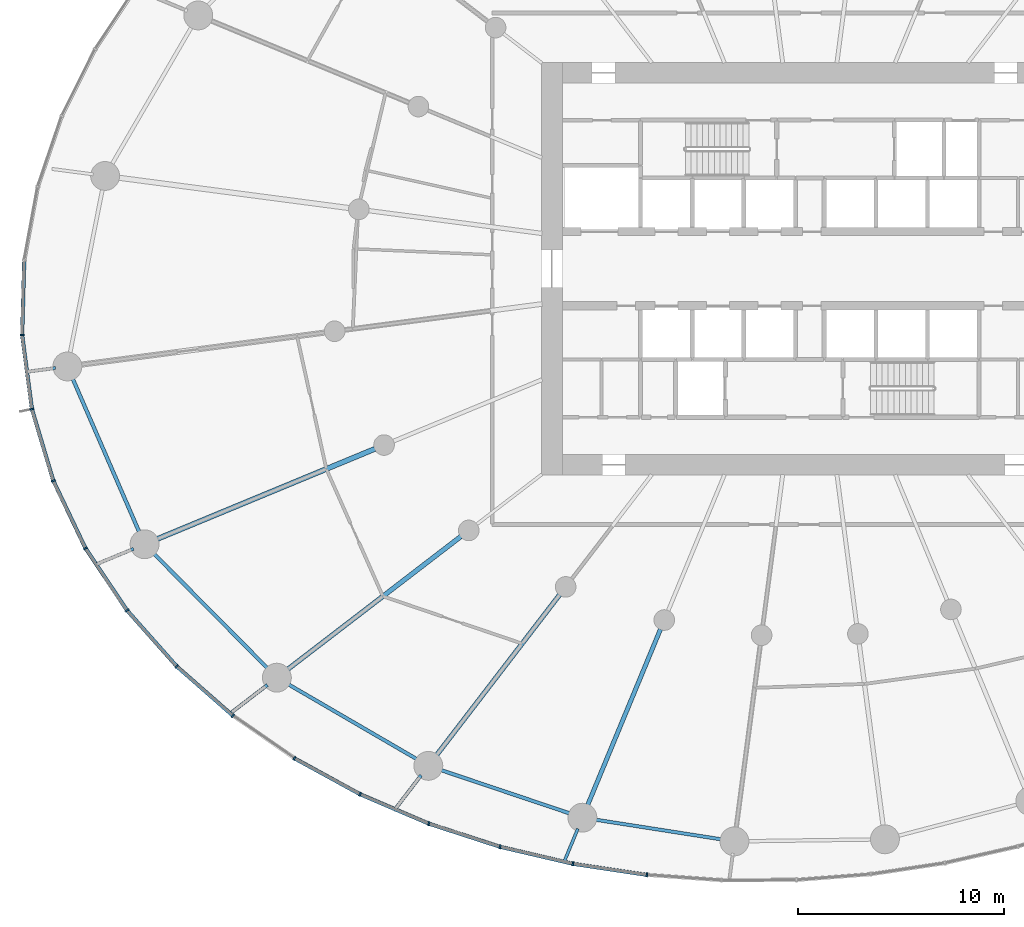
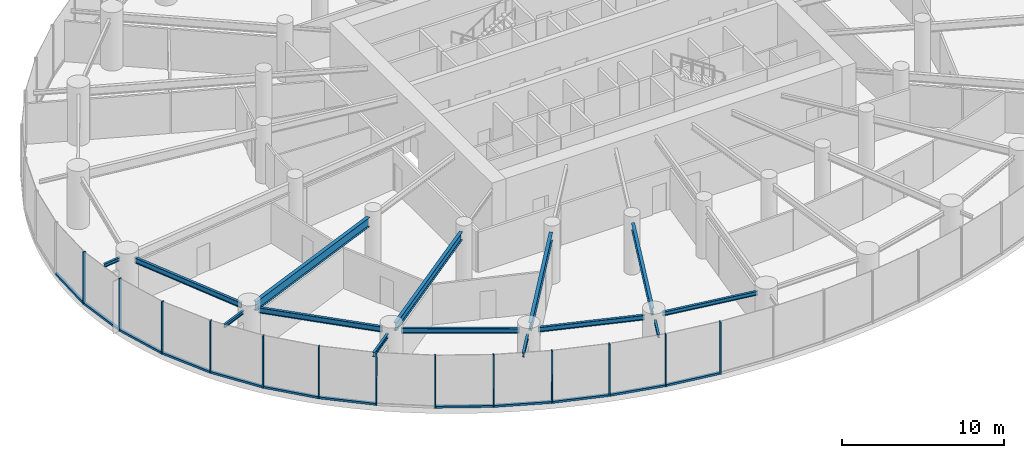
# One storey, part 2 of 18: 25 members, 14 beams, 3 elements without a shape of their own.
"""IFC4 building model written with IfcOpenShell, lengths in metres."""

import ifcopenshell
import ifcopenshell.guid

model = None  # the IFC model being written
_history = None  # IfcOwnerHistory: only IFC2X3 demands one
_inside = {}  # id of a spatial element -> (the spatial element, [elements in it])
_under = {}  # id of a project, library or spatial element -> (it, [spatial elements below it])
_declared = {}  # id of a project -> (the project, [libraries it declares])
_typed = {}  # id of a type object -> (the type object, [elements of that type])
_made_of = {}  # id of a material, layer set ... -> (it, [elements and type objects made of it])


def new_model(schema):
    """Start an empty IFC model of exactly this schema.

    Asked for "IFC4X3", IfcOpenShell would pick the latest addendum, in which some entities
    have other attributes; the version numbers below select the first issue.
    IFC2X3 requires an IfcOwnerHistory on every rooted entity: one is made here for all.
    """
    global model, _history
    if schema == "IFC4X3":
        model = ifcopenshell.file(schema_version=(4, 3, 0, 0))
    else:
        model = ifcopenshell.file(schema=schema)
    _inside.clear()
    _under.clear()
    _declared.clear()
    _typed.clear()
    _made_of.clear()
    _history = None
    if model.schema == "IFC2X3":
        org = make("IfcOrganization", Name="unknown")
        user = make(
            "IfcPersonAndOrganization",
            ThePerson=make("IfcPerson", FamilyName="unknown"),
            TheOrganization=org,
        )
        app = make(
            "IfcApplication",
            ApplicationDeveloper=org,
            Version="unknown",
            ApplicationFullName="unknown",
            ApplicationIdentifier="unknown",
        )
        _history = make(
            "IfcOwnerHistory",
            OwningUser=user,
            OwningApplication=app,
            ChangeAction="ADDED",
            CreationDate=0,
        )
    return model


def make(cls, **values):
    """One entity of the class cls with the attributes given. An attribute that is None is left unset."""
    return model.create_entity(
        cls, **{name: value for name, value in values.items() if value is not None}
    )


def rooted(cls, **values):
    """An entity with a GlobalId (a new one), such as an element, a storey or a relation."""
    return make(cls, GlobalId=ifcopenshell.guid.new(), OwnerHistory=_history, **values)


def si_unit(unit_type, name, prefix=None):
    """IfcSIUnit, for example si_unit("LENGTHUNIT", "METRE", prefix="MILLI")."""
    return make("IfcSIUnit", UnitType=unit_type, Prefix=prefix, Name=name)


def assignment(units):
    """IfcUnitAssignment: the units of a project."""
    return None if units is None else make("IfcUnitAssignment", Units=units)


def point(xyz):
    """IfcCartesianPoint."""
    return None if xyz is None else make("IfcCartesianPoint", Coordinates=xyz)


def direction(xyz):
    """IfcDirection."""
    return None if xyz is None else make("IfcDirection", DirectionRatios=xyz)


def frame(location, z_axis=None, x_axis=None):
    """IfcAxis2Placement3D, a coordinate frame: its origin and axes. An axis left out is left unset."""
    return make(
        "IfcAxis2Placement3D",
        Location=point(location),
        Axis=direction(z_axis),
        RefDirection=direction(x_axis),
    )


def frame_2d(location, x_axis=None):
    """IfcAxis2Placement2D, a coordinate frame in the plane: its origin and x axis."""
    return make(
        "IfcAxis2Placement2D", Location=point(location), RefDirection=direction(x_axis)
    )


def origin():
    """The frame at (0, 0, 0) with its axes left unset."""
    return frame((0.0, 0.0, 0.0))


def origin_2d():
    """The frame at (0, 0) in the plane with its x axis left unset."""
    return frame_2d((0.0, 0.0))


def place(relative_to, where):
    """IfcLocalPlacement: puts the frame where relative to a parent placement (None: the world)."""
    return make(
        "IfcLocalPlacement", PlacementRelTo=relative_to, RelativePlacement=where
    )


def context(
    kind, dimensions, precision=None, world=None, true_north=None, identifier=None
):
    """IfcGeometricRepresentationContext, for example the 3D "Model" context."""
    return make(
        "IfcGeometricRepresentationContext",
        ContextIdentifier=identifier,
        ContextType=kind,
        CoordinateSpaceDimension=dimensions,
        Precision=precision,
        WorldCoordinateSystem=world,
        TrueNorth=true_north,
    )


def subcontext(parent, identifier, kind, view, scale=None):
    """IfcGeometricRepresentationSubContext, for example "Body" below "Model"."""
    return make(
        "IfcGeometricRepresentationSubContext",
        ContextIdentifier=identifier,
        ContextType=kind,
        ParentContext=parent,
        TargetScale=scale,
        TargetView=view,
    )


def project(units=None, contexts=None):
    """IfcProject with its units and contexts."""
    return rooted(
        "IfcProject",
        Name="project",
        RepresentationContexts=contexts,
        UnitsInContext=assignment(units),
    )


def spatial(cls, under=None, at=None, **own):
    """A site, building, storey or space (cls), placed at a placement, below another one or the project."""
    s = rooted(cls, ObjectPlacement=at, **own)
    if under is not None:
        _under.setdefault(under.id(), (under, []))[1].append(s)
    return s


def profile(cls, at=None, kind="AREA", **sizes):
    """A parametric profile (cls). Its sizes go by their IFC names, for example OverallWidth=200.0."""
    return make(cls, ProfileType=kind, Position=at, **sizes)


def rectangle(**sizes):
    """IfcRectangleProfileDef."""
    return profile("IfcRectangleProfileDef", **sizes)


def i_section(**sizes):
    """IfcIShapeProfileDef."""
    return profile("IfcIShapeProfileDef", **sizes)


def extrude(swept, where, along, depth):
    """IfcExtrudedAreaSolid: the profile swept, set in the frame where, extruded along a direction by depth."""
    return make(
        "IfcExtrudedAreaSolid",
        SweptArea=swept,
        Position=where,
        ExtrudedDirection=direction(along),
        Depth=depth,
    )


def shape(context_of_items, identifier, shape_type, items):
    """IfcShapeRepresentation: the items that make up one representation, for example the "Body"."""
    return make(
        "IfcShapeRepresentation",
        ContextOfItems=context_of_items,
        RepresentationIdentifier=identifier,
        RepresentationType=shape_type,
        Items=items,
    )


def source(mapping_origin, context_of_items, identifier, shape_type, items):
    """IfcRepresentationMap: a shape defined once, which mapped items show again and again."""
    return make(
        "IfcRepresentationMap",
        MappingOrigin=mapping_origin,
        MappedRepresentation=shape(context_of_items, identifier, shape_type, items),
    )


def transform(
    local_origin,
    x_axis=None,
    y_axis=None,
    z_axis=None,
    scale=None,
    scale2=None,
    scale3=None,
    uniform=True,
):
    """IfcCartesianTransformationOperator3D, or its non-uniform kind. x_axis, y_axis, z_axis: its Axis1, 2, 3."""
    if uniform:
        return make(
            "IfcCartesianTransformationOperator3D",
            Axis1=direction(x_axis),
            Axis2=direction(y_axis),
            LocalOrigin=point(local_origin),
            Scale=scale,
            Axis3=direction(z_axis),
        )
    return make(
        "IfcCartesianTransformationOperator3DnonUniform",
        Axis1=direction(x_axis),
        Axis2=direction(y_axis),
        LocalOrigin=point(local_origin),
        Scale=scale,
        Axis3=direction(z_axis),
        Scale2=scale2,
        Scale3=scale3,
    )


def mapped(mapping_source, mapping_target):
    """IfcMappedItem: shows the shape of a source again, moved by a transform."""
    return make(
        "IfcMappedItem", MappingSource=mapping_source, MappingTarget=mapping_target
    )


def material(Name=None, Category=None):
    """IfcMaterial."""
    return make("IfcMaterial", Name=Name, Category=Category)


def layer(
    of_material, thickness, ventilated=None, Name=None, Category=None, Priority=None
):
    """IfcMaterialLayer: one layer of a wall or slab, of a material (None: an air gap)."""
    return make(
        "IfcMaterialLayer",
        Material=of_material,
        LayerThickness=thickness,
        IsVentilated=ventilated,
        Name=Name,
        Category=Category,
        Priority=Priority,
    )


def layer_set(layers, Name=None):
    """IfcMaterialLayerSet."""
    return make("IfcMaterialLayerSet", MaterialLayers=layers, LayerSetName=Name)


def material_profile(
    of_material, cross_section, Name=None, Category=None, Priority=None
):
    """IfcMaterialProfile: a cross section and its material."""
    return make(
        "IfcMaterialProfile",
        Name=Name,
        Material=of_material,
        Profile=cross_section,
        Priority=Priority,
        Category=Category,
    )


def profile_set(profiles, Name=None, composite=None):
    """IfcMaterialProfileSet."""
    return make(
        "IfcMaterialProfileSet",
        Name=Name,
        MaterialProfiles=profiles,
        CompositeProfile=composite,
    )


def made_of(thing, what):
    """Note that an element or type object is made of a material, layer set ...; save() writes the relation."""
    if what is not None:
        _made_of.setdefault(what.id(), (what, []))[1].append(thing)
    return thing


def type_object(cls, material=None, **own):
    """A type object (cls), such as IfcWallType, which elements share."""
    return made_of(rooted(cls, **own), material)


def element(
    cls,
    number,
    at=None,
    inside=None,
    cuts=None,
    type_object=None,
    material=None,
    context=None,
    identifier="Body",
    shape_type=None,
    held_by="IfcProductDefinitionShape",
    body=None,
    shapes=None,
    **own,
):
    """One element of the class cls, such as IfcWall. Its Tag is "e" and its number.

    at: its placement. inside: the storey or other place that contains it. cuts: it is an
    opening in that element (IfcRelVoidsElement). A single representation is given by context,
    identifier, shape_type and body (its items); several are given by shapes. held_by: the class
    of the entity that holds the representations. save() writes the other relations.
    """
    e = rooted(cls, Tag="e%d" % number, ObjectPlacement=at, **own)
    if body is not None:
        shapes = [shape(context, identifier, shape_type, body)]
    if shapes is not None:
        e.Representation = make(held_by, Representations=shapes)
    if inside is not None:
        _inside.setdefault(inside.id(), (inside, []))[1].append(e)
    if cuts is not None:
        rooted(
            "IfcRelVoidsElement", RelatingBuildingElement=cuts, RelatedOpeningElement=e
        )
    if type_object is not None:
        _typed.setdefault(type_object.id(), (type_object, []))[1].append(e)
    return made_of(e, material)


def aggregate(whole, parts):
    """IfcRelAggregates: a whole, such as a stair, and the parts it consists of."""
    return rooted("IfcRelAggregates", RelatingObject=whole, RelatedObjects=parts)


def save(model, path):
    """Write the relations noted so far, then the file.

    IfcRelAggregates (storeys below a building ...), IfcRelContainedInSpatialStructure (elements
    in a storey), IfcRelDefinesByType, IfcRelAssociatesMaterial and IfcRelDeclares: one each for
    every whole, place, type object, material and project.
    """
    for whole, parts in _under.values():
        aggregate(whole, parts)
    for where, things in _inside.values():
        rooted(
            "IfcRelContainedInSpatialStructure",
            RelatedElements=things,
            RelatingStructure=where,
        )
    for kind, things in _typed.values():
        rooted("IfcRelDefinesByType", RelatedObjects=things, RelatingType=kind)
    for what, things in _made_of.values():
        rooted("IfcRelAssociatesMaterial", RelatedObjects=things, RelatingMaterial=what)
    for by, libraries in _declared.values():
        rooted("IfcRelDeclares", RelatingContext=by, RelatedDefinitions=libraries)
    model.write(path)


model = new_model("IFC4")

# Units and contexts
model_context = context("Model", 3, precision=1e-05, world=origin(), true_north=direction((0.0, 1.0)))
body_context = subcontext(model_context, "Body", "Model", "MODEL_VIEW")
ifc_project = project(units=[si_unit("LENGTHUNIT", "METRE"), si_unit("AREAUNIT", "SQUARE_METRE"), si_unit("VOLUMEUNIT", "CUBIC_METRE"), si_unit("PLANEANGLEUNIT", "RADIAN"), si_unit("MASSUNIT", "GRAM", prefix="KILO")], contexts=[model_context])

# Site, building, storey
site_placement = place(None, origin())
site = spatial("IfcSite", under=ifc_project, at=site_placement, CompositionType="ELEMENT")
building_placement = place(site_placement, origin())
building = spatial("IfcBuilding", under=site, at=building_placement, Name="Spindrift Exchange Tower", CompositionType="ELEMENT")
storey_placement = place(building_placement, frame((0.0, 0.0, 40.199951171875)))
storey = spatial("IfcBuildingStorey", under=building, at=storey_placement, Name="L09", CompositionType="ELEMENT", Elevation=40.199951171875)

# Beams
ifc_material_1 = material(Name="Steel Grade 300", Category="steel")
ifc_material_profile_1 = material_profile(ifc_material_1, i_section(OverallWidth=0.25, OverallDepth=0.699951171875, WebThickness=0.008056640625, FlangeThickness=0.011962890625, at=origin_2d()), Name="700WB115")
ifc_profile_set_1 = profile_set([ifc_material_profile_1], Name="Steel Grade 300")
beam_type_1 = type_object("IfcBeamType", Name="Floor Beam 700WB115 Steel Grade 300", PredefinedType="BEAM", material=ifc_profile_set_1)
shared_shape_1 = source(origin(), body_context, "Body", "SweptSolid", [
    extrude(i_section(OverallWidth=0.25, OverallDepth=0.699951171875, WebThickness=0.008056640625, FlangeThickness=0.011962890625, at=origin_2d()), origin(), (0.0, 0.0, 1.0), 11.505859375),
])
beam_1_placement = place(storey_placement, frame((30.917236328125, 39.26708984375, 3.60009765625), z_axis=(-0.923881578419, -0.38267849307, 0.0), x_axis=(0.38267849307, -0.923881578419, 0.0)))
element("IfcBeam", 1, at=beam_1_placement, inside=storey, type_object=beam_type_1, Name="L09 radial beam R14B", PredefinedType="BEAM", context=body_context, shape_type="MappedRepresentation", body=[
    mapped(shared_shape_1, transform((0.0, 0.0, 0.0), scale=1.0)),
])
ifc_material_profile_2 = material_profile(ifc_material_1, i_section(OverallWidth=0.22802734375, OverallDepth=0.60693359375, WebThickness=0.01123046875, FlangeThickness=0.017333984375, FilletRadius=0.013916015625, at=origin_2d()), Name="610UB113")
ifc_profile_set_2 = profile_set([ifc_material_profile_2], Name="Steel Grade 300")
beam_type_2 = type_object("IfcBeamType", Name="Floor Beam 610UB113 Steel Grade 300", PredefinedType="BEAM", material=ifc_profile_set_2)
shared_shape_2 = source(origin(), body_context, "Body", "SweptSolid", [
    extrude(i_section(OverallWidth=0.22802734375, OverallDepth=0.60693359375, WebThickness=0.01123046875, FlangeThickness=0.017333984375, FilletRadius=0.013916015625, at=origin_2d()), origin(), (0.0, 0.0, 1.0), 10.66357421875),
])
beam_2_placement = place(storey_placement, frame((35.08447265625, 35.020263671875, 3.646484375), z_axis=(-0.793357926757, -0.608755451764, 0.0), x_axis=(0.608755451764, -0.793357926757, 0.0)))
element("IfcBeam", 2, at=beam_2_placement, inside=storey, type_object=beam_type_2, Name="L09 radial beam R15B", PredefinedType="BEAM", context=body_context, shape_type="MappedRepresentation", body=[
    mapped(shared_shape_2, transform((0.0, 0.0, 0.0), scale=1.0)),
])
shared_shape_3 = source(origin(), body_context, "Body", "SweptSolid", [
    extrude(i_section(OverallWidth=0.22802734375, OverallDepth=0.60693359375, WebThickness=0.01123046875, FlangeThickness=0.017333984375, FilletRadius=0.013916015625, at=origin_2d()), origin(), (0.0, 0.0, 1.0), 9.87548828125),
])
beam_3_placement = place(storey_placement, frame((39.872802734375, 32.1953125, 3.646484375), z_axis=(-0.608772470836, -0.793344867477, 0.0), x_axis=(0.793344867477, -0.608772470836, 0.0)))
element("IfcBeam", 3, at=beam_3_placement, inside=storey, type_object=beam_type_2, Name="L09 radial beam R16B", PredefinedType="BEAM", context=body_context, shape_type="MappedRepresentation", body=[
    mapped(shared_shape_3, transform((0.0, 0.0, 0.0), scale=1.0)),
])
ifc_material_profile_3 = material_profile(ifc_material_1, i_section(OverallWidth=0.208984375, OverallDepth=0.532958984375, WebThickness=0.01025390625, FlangeThickness=0.015625, FilletRadius=0.013916015625, at=origin_2d()), Name="530UB92.4")
ifc_profile_set_3 = profile_set([ifc_material_profile_3], Name="Steel Grade 300")
beam_type_3 = type_object("IfcBeamType", Name="Floor Beam 530UB92.4 Steel Grade 300", PredefinedType="BEAM", material=ifc_profile_set_3)
shared_shape_4 = source(origin(), body_context, "Body", "SweptSolid", [
    extrude(i_section(OverallWidth=0.208984375, OverallDepth=0.532958984375, WebThickness=0.01025390625, FlangeThickness=0.015625, FilletRadius=0.013916015625, at=origin_2d()), origin(), (0.0, 0.0, 1.0), 9.309326171875),
])
beam_4_placement = place(storey_placement, frame((44.76171875, 30.525146484375, 3.68359375), z_axis=(-0.382685326691, -0.923878747853, 0.0), x_axis=(0.923878747853, -0.382685326691, 0.0)))
element("IfcBeam", 4, at=beam_4_placement, inside=storey, type_object=beam_type_3, Name="L09 radial beam R17B", PredefinedType="BEAM", context=body_context, shape_type="MappedRepresentation", body=[
    mapped(shared_shape_4, transform((0.0, 0.0, 0.0), scale=1.0)),
])
ifc_material_profile_4 = material_profile(ifc_material_1, i_section(OverallWidth=0.177978515625, OverallDepth=0.406005859375, WebThickness=0.0078125, FlangeThickness=0.0126953125, FilletRadius=0.013916015625, at=origin_2d()), Name="410UB59.7")
ifc_profile_set_4 = profile_set([ifc_material_profile_4], Name="Steel Grade 300")
beam_type_4 = type_object("IfcBeamType", Name="Edge Beam 410UB59.7 Steel Grade 300", PredefinedType="SPANDREL", material=ifc_profile_set_4)
shared_shape_5 = source(origin(), body_context, "Body", "SweptSolid", [
    extrude(i_section(OverallWidth=0.177978515625, OverallDepth=0.406005859375, WebThickness=0.0078125, FlangeThickness=0.0126953125, FilletRadius=0.013916015625, at=origin_2d()), origin(), (0.0, 0.0, 1.0), 8.23681640625),
])
beam_5_placement = place(storey_placement, frame((16.240478515625, 42.729736328125, 3.7470703125), z_axis=(0.398186298756, -0.91730456855, 0.0), x_axis=(0.91730456855, 0.398186298756, 0.0)))
element("IfcBeam", 5, at=beam_5_placement, inside=storey, type_object=beam_type_4, Name="L09 edge beam E13", PredefinedType="SPANDREL", context=body_context, shape_type="MappedRepresentation", body=[
    mapped(shared_shape_5, transform((0.0, 0.0, 0.0), scale=1.0)),
])
shared_shape_6 = source(origin(), body_context, "Body", "SweptSolid", [
    extrude(i_section(OverallWidth=0.177978515625, OverallDepth=0.406005859375, WebThickness=0.0078125, FlangeThickness=0.0126953125, FilletRadius=0.013916015625, at=origin_2d()), origin(), (0.0, 0.0, 1.0), 7.947509765625),
])
beam_6_placement = place(storey_placement, frame((20.159423828125, 34.230224609375, 3.7470703125), z_axis=(0.704197895271, -0.710003749494, 0.0), x_axis=(0.710003749494, 0.704197895271, 0.0)))
element("IfcBeam", 6, at=beam_6_placement, inside=storey, type_object=beam_type_4, Name="L09 edge beam E14", PredefinedType="SPANDREL", context=body_context, shape_type="MappedRepresentation", body=[
    mapped(shared_shape_6, transform((0.0, 0.0, 0.0), scale=1.0)),
])
ifc_material_profile_5 = material_profile(ifc_material_1, i_section(OverallWidth=0.172119140625, OverallDepth=0.35888671875, WebThickness=0.008056640625, FlangeThickness=0.012939453125, FilletRadius=0.013916015625, at=origin_2d()), Name="360UB56.7")
ifc_profile_set_5 = profile_set([ifc_material_profile_5], Name="Steel Grade 300")
beam_type_5 = type_object("IfcBeamType", Name="Edge Beam 360UB56.7 Steel Grade 300", PredefinedType="SPANDREL", material=ifc_profile_set_5)
shared_shape_7 = source(origin(), body_context, "Body", "SweptSolid", [
    extrude(i_section(OverallWidth=0.172119140625, OverallDepth=0.35888671875, WebThickness=0.008056640625, FlangeThickness=0.012939453125, FilletRadius=0.013916015625, at=origin_2d()), origin(), (0.0, 0.0, 1.0), 7.33740234375),
])
beam_7_placement = place(storey_placement, frame((26.66552734375, 27.8837890625, 3.7705078125), z_axis=(0.864211826308, -0.503128134047, 0.0), x_axis=(0.503128134047, 0.864211826308, 0.0)))
element("IfcBeam", 7, at=beam_7_placement, inside=storey, type_object=beam_type_5, Name="L09 edge beam E15", PredefinedType="SPANDREL", context=body_context, shape_type="MappedRepresentation", body=[
    mapped(shared_shape_7, transform((0.0, 0.0, 0.0), scale=1.0)),
])
shared_shape_8 = source(origin(), body_context, "Body", "SweptSolid", [
    extrude(i_section(OverallWidth=0.172119140625, OverallDepth=0.35888671875, WebThickness=0.008056640625, FlangeThickness=0.012939453125, FilletRadius=0.013916015625, at=origin_2d()), origin(), (0.0, 0.0, 1.0), 6.72021484375),
])
beam_8_placement = place(storey_placement, frame((34.0576171875, 23.71533203125, 3.7705078125), z_axis=(0.947851749681, -0.318711563372, 0.0), x_axis=(0.318711563372, 0.947851749681, 0.0)))
element("IfcBeam", 8, at=beam_8_placement, inside=storey, type_object=beam_type_5, Name="L09 edge beam E16", PredefinedType="SPANDREL", context=body_context, shape_type="MappedRepresentation", body=[
    mapped(shared_shape_8, transform((0.0, 0.0, 0.0), scale=1.0)),
])
ifc_material_profile_6 = material_profile(ifc_material_1, i_section(OverallWidth=0.1650390625, OverallDepth=0.303955078125, WebThickness=0.006103515625, FlangeThickness=0.01025390625, FilletRadius=0.011474609375, at=origin_2d()), Name="310UB40.4")
ifc_profile_set_6 = profile_set([ifc_material_profile_6], Name="Steel Grade 300")
beam_type_6 = type_object("IfcBeamType", Name="Edge Beam 310UB40.4 Steel Grade 300", PredefinedType="SPANDREL", material=ifc_profile_set_6)
shared_shape_9 = source(origin(), body_context, "Body", "SweptSolid", [
    extrude(i_section(OverallWidth=0.1650390625, OverallDepth=0.303955078125, WebThickness=0.006103515625, FlangeThickness=0.01025390625, FilletRadius=0.011474609375, at=origin_2d()), origin(), (0.0, 0.0, 1.0), 6.297119140625),
])
beam_9_placement = place(storey_placement, frame((41.55029296875, 21.29931640625, 3.798095703125), z_axis=(0.98802902915, -0.154268070436, 0.0), x_axis=(0.154268070436, 0.98802902915, 0.0)))
element("IfcBeam", 9, at=beam_9_placement, inside=storey, type_object=beam_type_6, Name="L09 edge beam E17", PredefinedType="SPANDREL", context=body_context, shape_type="MappedRepresentation", body=[
    mapped(shared_shape_9, transform((0.0, 0.0, 0.0), scale=1.0)),
])
ifc_material_profile_7 = material_profile(ifc_material_1, i_section(OverallWidth=0.14599609375, OverallDepth=0.251953125, WebThickness=0.006103515625, FlangeThickness=0.008544921875, FilletRadius=0.011962890625, at=origin_2d()), Name="250UB31.4")
ifc_profile_set_7 = profile_set([ifc_material_profile_7], Name="Steel Grade 300")
beam_type_7 = type_object("IfcBeamType", Name="Cantilever Beam 250UB31.4 Steel Grade 300", PredefinedType="BEAM", material=ifc_profile_set_7)
shared_shape_10 = source(origin(), body_context, "Body", "SweptSolid", [
    extrude(i_section(OverallWidth=0.14599609375, OverallDepth=0.251953125, WebThickness=0.006103515625, FlangeThickness=0.008544921875, FilletRadius=0.011962890625, at=origin_2d()), origin(), (0.0, 0.0, 1.0), 1.224365234375),
])
beam_10_placement = place(storey_placement, frame((15.4345703125, 43.18603515625, 3.823974609375), z_axis=(-0.991459724463, -0.130413246138, 0.0), x_axis=(0.130413246138, -0.991459724463, 0.0)))
element("IfcBeam", 10, at=beam_10_placement, inside=storey, type_object=beam_type_7, Name="L09 cantilever beam R13T", PredefinedType="BEAM", context=body_context, shape_type="MappedRepresentation", body=[
    mapped(shared_shape_10, transform((0.0, 0.0, 0.0), scale=1.0)),
])
shared_shape_11 = source(origin(), body_context, "Body", "SweptSolid", [
    extrude(i_section(OverallWidth=0.14599609375, OverallDepth=0.251953125, WebThickness=0.006103515625, FlangeThickness=0.008544921875, FilletRadius=0.011962890625, at=origin_2d()), origin(), (0.0, 0.0, 1.0), 1.96728515625),
])
beam_11_placement = place(storey_placement, frame((19.21533203125, 34.420166015625, 3.823974609375), z_axis=(-0.923871633856, -0.382702500848, 0.0), x_axis=(0.382702500848, -0.923871633856, 0.0)))
element("IfcBeam", 11, at=beam_11_placement, inside=storey, type_object=beam_type_7, Name="L09 cantilever beam R14T", PredefinedType="BEAM", context=body_context, shape_type="MappedRepresentation", body=[
    mapped(shared_shape_11, transform((0.0, 0.0, 0.0), scale=1.0)),
])
ifc_material_profile_8 = material_profile(ifc_material_1, i_section(OverallWidth=0.1650390625, OverallDepth=0.303955078125, WebThickness=0.006103515625, FlangeThickness=0.01025390625, FilletRadius=0.011474609375, at=origin_2d()), Name="310UB40.4")
ifc_profile_set_8 = profile_set([ifc_material_profile_8], Name="Steel Grade 300")
beam_type_8 = type_object("IfcBeamType", Name="Cantilever Beam 310UB40.4 Steel Grade 300", PredefinedType="BEAM", material=ifc_profile_set_8)
shared_shape_12 = source(origin(), body_context, "Body", "SweptSolid", [
    extrude(i_section(OverallWidth=0.1650390625, OverallDepth=0.303955078125, WebThickness=0.006103515625, FlangeThickness=0.01025390625, FilletRadius=0.011474609375, at=origin_2d()), origin(), (0.0, 0.0, 1.0), 2.33251953125),
])
beam_12_placement = place(storey_placement, frame((25.704345703125, 27.822509765625, 3.798095703125), z_axis=(-0.793370454613, -0.608739124542, 0.0), x_axis=(0.608739124542, -0.793370454613, 0.0)))
element("IfcBeam", 12, at=beam_12_placement, inside=storey, type_object=beam_type_8, Name="L09 cantilever beam R15T", PredefinedType="BEAM", context=body_context, shape_type="MappedRepresentation", body=[
    mapped(shared_shape_12, transform((0.0, 0.0, 0.0), scale=1.0)),
])
shared_shape_13 = source(origin(), body_context, "Body", "SweptSolid", [
    extrude(i_section(OverallWidth=0.1650390625, OverallDepth=0.303955078125, WebThickness=0.006103515625, FlangeThickness=0.01025390625, FilletRadius=0.011474609375, at=origin_2d()), origin(), (0.0, 0.0, 1.0), 2.16064453125),
])
beam_13_placement = place(storey_placement, frame((33.154541015625, 23.440185546875, 3.798095703125), z_axis=(-0.60873278131, -0.793375321622, 0.0), x_axis=(0.793375321622, -0.60873278131, 0.0)))
element("IfcBeam", 13, at=beam_13_placement, inside=storey, type_object=beam_type_8, Name="L09 cantilever beam R16T", PredefinedType="BEAM", context=body_context, shape_type="MappedRepresentation", body=[
    mapped(shared_shape_13, transform((0.0, 0.0, 0.0), scale=1.0)),
])
shared_shape_14 = source(origin(), body_context, "Body", "SweptSolid", [
    extrude(i_section(OverallWidth=0.14599609375, OverallDepth=0.251953125, WebThickness=0.006103515625, FlangeThickness=0.008544921875, FilletRadius=0.011962890625, at=origin_2d()), origin(), (0.0, 0.0, 1.0), 1.72216796875),
])
beam_14_placement = place(storey_placement, frame((40.755126953125, 20.852783203125, 3.823974609375), z_axis=(-0.382631424892, -0.923901072997, 0.0), x_axis=(0.923901072997, -0.382631424892, 0.0)))
element("IfcBeam", 14, at=beam_14_placement, inside=storey, type_object=beam_type_7, Name="L09 cantilever beam R17T", PredefinedType="BEAM", context=body_context, shape_type="MappedRepresentation", body=[
    mapped(shared_shape_14, transform((0.0, 0.0, 0.0), scale=1.0)),
])

# Curtain wall, member
ifc_material_2 = material(Name="Fritted laminated glass with bronze frame", Category="glass")
ifc_layer = layer(ifc_material_2, 0.199951171875)
ifc_layer_set = layer_set([ifc_layer], Name="ZONE 1 BRONZE FRITTED WALL")
curtain_wall_type = type_object("IfcCurtainWallType", Name="ZONE 1 BRONZE FRITTED WALL", PredefinedType="NOTDEFINED", material=ifc_layer_set)
curtain_wall_1_placement = place(storey_placement, origin())
curtain_wall_1 = element("IfcCurtainWall", 15, at=curtain_wall_1_placement, inside=storey, type_object=curtain_wall_type, Name="L09 Zone 1 Bronze Fritted Wall run 5", PredefinedType="NOTDEFINED")
ifc_material_3 = material(Name="Bronze anodised aluminium", Category="aluminium")
ifc_material_profile_9 = material_profile(ifc_material_3, rectangle(XDim=0.080078125, YDim=0.199951171875, at=origin_2d()), Name="ZONE 1 BRONZE FRITTED WALL MULLION 80X200")
ifc_profile_set_9 = profile_set([ifc_material_profile_9], Name="Bronze anodised aluminium")
member_type_1 = type_object("IfcMemberType", Name="ZONE 1 BRONZE FRITTED WALL MULLION 80X200", PredefinedType="MULLION", material=ifc_profile_set_9)
shared_shape_15 = source(origin(), body_context, "Body", "SweptSolid", [
    extrude(rectangle(XDim=0.080078125, YDim=0.199951171875, at=origin_2d()), origin(), (0.0, 0.0, 1.0), 3.949951171875),
])
member_1_placement = place(storey_placement, frame((13.814697265625, 44.784423828125, 0.0), z_axis=(0.0, 0.0, 1.0), x_axis=(0.05186879198, -0.998653908228, 0.0)))
member_1 = element("IfcMember", 16, at=member_1_placement, type_object=member_type_1, Name="L09 mullion CW-1.30", PredefinedType="MULLION", context=body_context, shape_type="MappedRepresentation", body=[
    mapped(shared_shape_15, transform((0.0, 0.0, 0.0), scale=1.0)),
])

# Curtain wall, members
curtain_wall_2_placement = place(storey_placement, origin())
curtain_wall_2 = element("IfcCurtainWall", 17, at=curtain_wall_2_placement, inside=storey, type_object=curtain_wall_type, Name="L09 Zone 1 Bronze Fritted Wall run 6", PredefinedType="NOTDEFINED")
member_2_placement = place(storey_placement, frame((14.289306640625, 41.19140625, 0.0), z_axis=(0.0, 0.0, 1.0), x_axis=(0.209189678561, -0.977875083221, 0.0)))
member_2 = element("IfcMember", 18, at=member_2_placement, type_object=member_type_1, Name="L09 mullion CW-1.31", PredefinedType="MULLION", context=body_context, shape_type="MappedRepresentation", body=[
    mapped(shared_shape_15, transform((0.0, 0.0, 0.0), scale=1.0)),
])
member_3_placement = place(storey_placement, frame((15.326416015625, 37.718505859375, 0.0), z_axis=(0.0, 0.0, 1.0), x_axis=(0.359082847673, -0.933305688672, 0.0)))
member_3 = element("IfcMember", 19, at=member_3_placement, type_object=member_type_1, Name="L09 mullion CW-1.32", PredefinedType="MULLION", context=body_context, shape_type="MappedRepresentation", body=[
    mapped(shared_shape_15, transform((0.0, 0.0, 0.0), scale=1.0)),
])
member_4_placement = place(storey_placement, frame((16.884765625, 34.445556640625, 0.0), z_axis=(0.0, 0.0, 1.0), x_axis=(0.494594455583, -0.869123883291, 0.0)))
member_4 = element("IfcMember", 20, at=member_4_placement, type_object=member_type_1, Name="L09 mullion CW-1.33", PredefinedType="MULLION", context=body_context, shape_type="MappedRepresentation", body=[
    mapped(shared_shape_15, transform((0.0, 0.0, 0.0), scale=1.0)),
])
member_5_placement = place(storey_placement, frame((18.902587890625, 31.43408203125, 0.0), z_axis=(0.0, 0.0, 1.0), x_axis=(0.611636369912, -0.791139021286, 0.0)))
member_5 = element("IfcMember", 21, at=member_5_placement, type_object=member_type_1, Name="L09 mullion CW-1.34", PredefinedType="MULLION", context=body_context, shape_type="MappedRepresentation", body=[
    mapped(shared_shape_15, transform((0.0, 0.0, 0.0), scale=1.0)),
])
member_6_placement = place(storey_placement, frame((21.309326171875, 28.722412109375, 0.0), z_axis=(0.0, 0.0, 1.0), x_axis=(0.709125764425, -0.705082016668, 0.0)))
member_6 = element("IfcMember", 22, at=member_6_placement, type_object=member_type_1, Name="L09 mullion CW-1.35", PredefinedType="MULLION", context=body_context, shape_type="MappedRepresentation", body=[
    mapped(shared_shape_15, transform((0.0, 0.0, 0.0), scale=1.0)),
])
member_7_placement = place(storey_placement, frame((24.034912109375, 26.330810546875, 0.0), z_axis=(0.0, 0.0, 1.0), x_axis=(0.7881045187, -0.615541442638, 0.0)))
member_7 = element("IfcMember", 23, at=member_7_placement, type_object=member_type_1, Name="L09 mullion CW-1.36", PredefinedType="MULLION", context=body_context, shape_type="MappedRepresentation", body=[
    mapped(shared_shape_15, transform((0.0, 0.0, 0.0), scale=1.0)),
])

curtain_wall_3_placement = place(storey_placement, origin())
curtain_wall_3 = element("IfcCurtainWall", 24, at=curtain_wall_3_placement, inside=storey, type_object=curtain_wall_type, Name="L09 Zone 1 Bronze Fritted Wall run 7", PredefinedType="NOTDEFINED")
member_8_placement = place(storey_placement, frame((27.015869140625, 24.265380859375, 0.0), z_axis=(0.0, 0.0, 1.0), x_axis=(0.850695634887, -0.525658574347, 0.0)))
member_8 = element("IfcMember", 25, at=member_8_placement, type_object=member_type_1, Name="L09 mullion CW-1.37", PredefinedType="MULLION", context=body_context, shape_type="MappedRepresentation", body=[
    mapped(shared_shape_15, transform((0.0, 0.0, 0.0), scale=1.0)),
])
member_9_placement = place(storey_placement, frame((30.19677734375, 22.5234375, 0.0), z_axis=(0.0, 0.0, 1.0), x_axis=(0.899305211842, -0.437321547552, 0.0)))
member_9 = element("IfcMember", 26, at=member_9_placement, type_object=member_type_1, Name="L09 mullion CW-1.38", PredefinedType="MULLION", context=body_context, shape_type="MappedRepresentation", body=[
    mapped(shared_shape_15, transform((0.0, 0.0, 0.0), scale=1.0)),
])
member_10_placement = place(storey_placement, frame((33.53125, 21.09716796875, 0.0), z_axis=(0.0, 0.0, 1.0), x_axis=(0.936202117416, -0.351462082373, 0.0)))
member_10 = element("IfcMember", 27, at=member_10_placement, type_object=member_type_1, Name="L09 mullion CW-1.39", PredefinedType="MULLION", context=body_context, shape_type="MappedRepresentation", body=[
    mapped(shared_shape_15, transform((0.0, 0.0, 0.0), scale=1.0)),
])
member_11_placement = place(storey_placement, frame((36.98095703125, 19.9765625, 0.0), z_axis=(0.0, 0.0, 1.0), x_axis=(0.963318923724, -0.268359183177, 0.0)))
member_11 = element("IfcMember", 28, at=member_11_placement, type_object=member_type_1, Name="L09 mullion CW-1.40", PredefinedType="MULLION", context=body_context, shape_type="MappedRepresentation", body=[
    mapped(shared_shape_15, transform((0.0, 0.0, 0.0), scale=1.0)),
])
member_12_placement = place(storey_placement, frame((40.51318359375, 19.152099609375, 0.0), z_axis=(0.0, 0.0, 1.0), x_axis=(0.982172565106, -0.187981521309, 0.0)))
member_12 = element("IfcMember", 29, at=member_12_placement, type_object=member_type_1, Name="L09 mullion CW-1.41", PredefinedType="MULLION", context=body_context, shape_type="MappedRepresentation", body=[
    mapped(shared_shape_15, transform((0.0, 0.0, 0.0), scale=1.0)),
])
member_13_placement = place(storey_placement, frame((44.100341796875, 18.614013671875, 0.0), z_axis=(0.0, 0.0, 1.0), x_axis=(0.993922707738, -0.110080202778, 0.0)))
member_13 = element("IfcMember", 30, at=member_13_placement, type_object=member_type_1, Name="L09 mullion CW-1.42", PredefinedType="MULLION", context=body_context, shape_type="MappedRepresentation", body=[
    mapped(shared_shape_15, transform((0.0, 0.0, 0.0), scale=1.0)),
])

# Member
ifc_material_profile_10 = material_profile(ifc_material_3, rectangle(XDim=0.179931640625, YDim=0.14990234375, at=origin_2d()), Name="ZONE 1 BRONZE FRITTED WALL TRANSOM 180X150")
ifc_profile_set_10 = profile_set([ifc_material_profile_10], Name="Bronze anodised aluminium")
member_type_2 = type_object("IfcMemberType", Name="ZONE 1 BRONZE FRITTED WALL TRANSOM 180X150", PredefinedType="USERDEFINED", material=ifc_profile_set_10)
shared_shape_16 = source(origin(), body_context, "Body", "SweptSolid", [
    extrude(rectangle(XDim=0.179931640625, YDim=0.14990234375, at=origin_2d()), origin(), (0.0, 0.0, 1.0), 3.54443359375),
])
member_14_placement = place(storey_placement, frame((13.913330078125, 48.36767578125, 0.074951171875), z_axis=(-0.027482208697, -0.999622292771, 0.0), x_axis=(0.999622292771, -0.027482208697, 0.0)))
member_14 = element("IfcMember", 31, at=member_14_placement, type_object=member_type_2, Name="L09 transom CW-1.29", ObjectType="TRANSOM", PredefinedType="USERDEFINED", context=body_context, shape_type="MappedRepresentation", body=[
    mapped(shared_shape_16, transform((0.0, 0.0, 0.0), scale=1.0)),
])

member_15_placement = place(storey_placement, frame((13.81982421875, 44.744873046875, 0.074951171875), z_axis=(0.131008622059, -0.991381228865, 0.0), x_axis=(0.991381228865, 0.131008622059, 0.0)))
member_15 = element("IfcMember", 32, at=member_15_placement, type_object=member_type_2, Name="L09 transom CW-1.30", ObjectType="TRANSOM", PredefinedType="USERDEFINED", context=body_context, shape_type="MappedRepresentation", body=[
    mapped(shared_shape_16, transform((0.0, 0.0, 0.0), scale=1.0)),
])

aggregate(curtain_wall_1, [member_14, member_1, member_15])

member_16_placement = place(storey_placement, frame((14.30078125, 41.153076171875, 0.074951171875), z_axis=(0.28612803209, -0.958191394896, 0.0), x_axis=(0.958191394896, 0.28612803209, 0.0)))
member_16 = element("IfcMember", 33, at=member_16_placement, type_object=member_type_2, Name="L09 transom CW-1.31", ObjectType="TRANSOM", PredefinedType="USERDEFINED", context=body_context, shape_type="MappedRepresentation", body=[
    mapped(shared_shape_16, transform((0.0, 0.0, 0.0), scale=1.0)),
])

shared_shape_17 = source(origin(), body_context, "Body", "SweptSolid", [
    extrude(rectangle(XDim=0.179931640625, YDim=0.14990234375, at=origin_2d()), origin(), (0.0, 0.0, 1.0), 3.544921875),
])
member_17_placement = place(storey_placement, frame((15.343505859375, 37.682373046875, 0.074951171875), z_axis=(0.429885460014, -0.902883431717, 0.0), x_axis=(0.902883431717, 0.429885460014, 0.0)))
member_17 = element("IfcMember", 34, at=member_17_placement, type_object=member_type_2, Name="L09 transom CW-1.32", ObjectType="TRANSOM", PredefinedType="USERDEFINED", context=body_context, shape_type="MappedRepresentation", body=[
    mapped(shared_shape_17, transform((0.0, 0.0, 0.0), scale=1.0)),
])

shared_shape_18 = source(origin(), body_context, "Body", "SweptSolid", [
    extrude(rectangle(XDim=0.179931640625, YDim=0.14990234375, at=origin_2d()), origin(), (0.0, 0.0, 1.0), 3.545654296875),
])
member_18_placement = place(storey_placement, frame((18.92919921875, 31.404052734375, 0.074951171875), z_axis=(0.663820904609, -0.747891574096, 0.0), x_axis=(0.747891574096, 0.663820904609, 0.0)))
member_18 = element("IfcMember", 35, at=member_18_placement, type_object=member_type_2, Name="L09 transom CW-1.34", ObjectType="TRANSOM", PredefinedType="USERDEFINED", context=body_context, shape_type="MappedRepresentation", body=[
    mapped(shared_shape_18, transform((0.0, 0.0, 0.0), scale=1.0)),
])

shared_shape_19 = source(origin(), body_context, "Body", "SweptSolid", [
    extrude(rectangle(XDim=0.179931640625, YDim=0.14990234375, at=origin_2d()), origin(), (0.0, 0.0, 1.0), 3.546142578125),
])
member_19_placement = place(storey_placement, frame((21.33935546875, 28.696044921875, 0.074951171875), z_axis=(0.751663302197, -0.659547026474, 0.0), x_axis=(0.659547026474, 0.751663302197, 0.0)))
member_19 = element("IfcMember", 36, at=member_19_placement, type_object=member_type_2, Name="L09 transom CW-1.35", ObjectType="TRANSOM", PredefinedType="USERDEFINED", context=body_context, shape_type="MappedRepresentation", body=[
    mapped(shared_shape_19, transform((0.0, 0.0, 0.0), scale=1.0)),
])

shared_shape_20 = source(origin(), body_context, "Body", "SweptSolid", [
    extrude(rectangle(XDim=0.179931640625, YDim=0.14990234375, at=origin_2d()), origin(), (0.0, 0.0, 1.0), 3.546875),
])
member_20_placement = place(storey_placement, frame((27.05078125, 24.246337890625, 0.074951171875), z_axis=(0.877089363286, -0.480327230969, 0.0), x_axis=(0.480327230969, 0.877089363286, 0.0)))
member_20 = element("IfcMember", 37, at=member_20_placement, type_object=member_type_2, Name="L09 transom CW-1.37", ObjectType="TRANSOM", PredefinedType="USERDEFINED", context=body_context, shape_type="MappedRepresentation", body=[
    mapped(shared_shape_20, transform((0.0, 0.0, 0.0), scale=1.0)),
])

shared_shape_21 = source(origin(), body_context, "Body", "SweptSolid", [
    extrude(rectangle(XDim=0.179931640625, YDim=0.14990234375, at=origin_2d()), origin(), (0.0, 0.0, 1.0), 3.54736328125),
])
member_21_placement = place(storey_placement, frame((40.552734375, 19.146240234375, 0.074951171875), z_axis=(0.988929789236, -0.148384203883, 0.0), x_axis=(0.148384203883, 0.988929789236, 0.0)))
member_21 = element("IfcMember", 38, at=member_21_placement, type_object=member_type_2, Name="L09 transom CW-1.41", ObjectType="TRANSOM", PredefinedType="USERDEFINED", context=body_context, shape_type="MappedRepresentation", body=[
    mapped(shared_shape_21, transform((0.0, 0.0, 0.0), scale=1.0)),
])

shared_shape_22 = source(origin(), body_context, "Body", "SweptSolid", [
    extrude(rectangle(XDim=0.179931640625, YDim=0.14990234375, at=origin_2d()), origin(), (0.0, 0.0, 1.0), 3.547119140625),
])
member_22_placement = place(storey_placement, frame((30.2333984375, 22.5078125, 0.074951171875), z_axis=(0.919415381667, -0.393287879237, 0.0), x_axis=(0.393287879237, 0.919415381667, 0.0)))
member_22 = element("IfcMember", 39, at=member_22_placement, type_object=member_type_2, Name="L09 transom CW-1.38", ObjectType="TRANSOM", PredefinedType="USERDEFINED", context=body_context, shape_type="MappedRepresentation", body=[
    mapped(shared_shape_22, transform((0.0, 0.0, 0.0), scale=1.0)),
])

member_23_placement = place(storey_placement, frame((33.5693359375, 21.084716796875, 0.074951171875), z_axis=(0.951091715227, -0.308908642201, 0.0), x_axis=(0.308908642201, 0.951091715227, 0.0)))
member_23 = element("IfcMember", 40, at=member_23_placement, type_object=member_type_2, Name="L09 transom CW-1.39", ObjectType="TRANSOM", PredefinedType="USERDEFINED", context=body_context, shape_type="MappedRepresentation", body=[
    mapped(shared_shape_22, transform((0.0, 0.0, 0.0), scale=1.0)),
])

member_24_placement = place(storey_placement, frame((37.02001953125, 19.967529296875, 0.074951171875), z_axis=(0.973817343768, -0.227331874088, 0.0), x_axis=(0.227331874088, 0.973817343768, 0.0)))
member_24 = element("IfcMember", 41, at=member_24_placement, type_object=member_type_2, Name="L09 transom CW-1.40", ObjectType="TRANSOM", PredefinedType="USERDEFINED", context=body_context, shape_type="MappedRepresentation", body=[
    mapped(shared_shape_22, transform((0.0, 0.0, 0.0), scale=1.0)),
])

aggregate(curtain_wall_3, [member_8, member_20, member_9, member_22, member_10, member_23, member_11, member_24, member_12, member_21, member_13])

shared_shape_23 = source(origin(), body_context, "Body", "SweptSolid", [
    extrude(rectangle(XDim=0.179931640625, YDim=0.14990234375, at=origin_2d()), origin(), (0.0, 0.0, 1.0), 3.545166015625),
])
member_25_placement = place(storey_placement, frame((16.906982421875, 34.412353515625, 0.074951171875), z_axis=(0.556653433898, -0.830744819141, 0.0), x_axis=(0.830744819141, 0.556653433898, 0.0)))
member_25 = element("IfcMember", 42, at=member_25_placement, type_object=member_type_2, Name="L09 transom CW-1.33", ObjectType="TRANSOM", PredefinedType="USERDEFINED", context=body_context, shape_type="MappedRepresentation", body=[
    mapped(shared_shape_23, transform((0.0, 0.0, 0.0), scale=1.0)),
])

aggregate(curtain_wall_2, [member_2, member_16, member_3, member_17, member_4, member_25, member_5, member_18, member_6, member_19, member_7])

save(model, "model.ifc")
